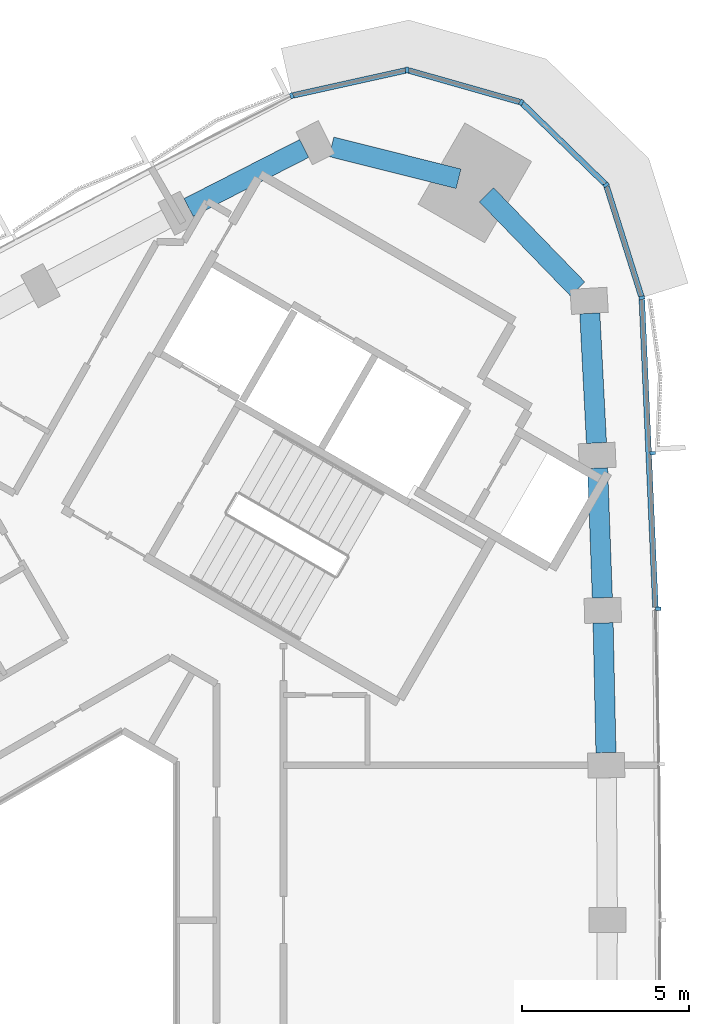
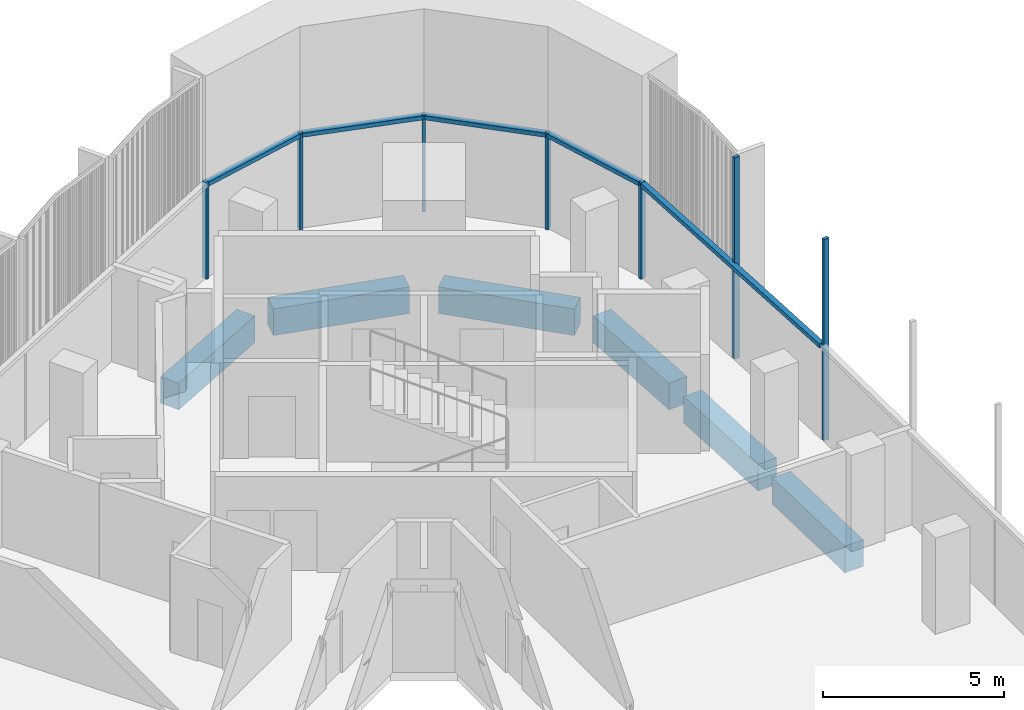
# One storey, part 6 of 14: 12 members, 6 beams, 2 elements without a shape of their own.
"""IFC4 building model written with IfcOpenShell, lengths in metres."""

from ifc_helpers import new_model, si_unit, direction, frame, origin, origin_2d, place, context, subcontext, project, spatial, rectangle, extrude, material, material_profile, profile_set, type_object, element, aggregate, save


model = new_model("IFC4")

# Units and contexts
model_context = context("Model", 3, precision=1e-05, world=origin(), true_north=direction((0.0, 1.0)))
body_context = subcontext(model_context, "Body", "Model", "MODEL_VIEW")
ifc_project = project(units=[si_unit("LENGTHUNIT", "METRE"), si_unit("AREAUNIT", "SQUARE_METRE"), si_unit("VOLUMEUNIT", "CUBIC_METRE"), si_unit("PLANEANGLEUNIT", "RADIAN"), si_unit("MASSUNIT", "GRAM", prefix="KILO")], contexts=[model_context])

# Site, building, storey
site_placement = place(None, origin())
site = spatial("IfcSite", under=ifc_project, at=site_placement, CompositionType="ELEMENT")
building_placement = place(site_placement, origin())
building = spatial("IfcBuilding", under=site, at=building_placement, Name="Tamra Quay Hotel Tower", CompositionType="ELEMENT")
storey_placement = place(building_placement, frame((0.0, 0.0, 250.199951171875)))
storey = spatial("IfcBuildingStorey", under=building, at=storey_placement, Name="L63", CompositionType="ELEMENT", Elevation=250.199951171875)

# Curtain wall, members
ifc_material_1 = material(Name="Aluminium 6063 anodised dark grey", Category="aluminium")
curtain_wall_type_1 = type_object("IfcCurtainWallType", Name="CW1 CURTAIN WALL", PredefinedType="NOTDEFINED", material=ifc_material_1)
curtain_wall_1_placement = place(storey_placement, origin())
curtain_wall_1 = element("IfcCurtainWall", 1, at=curtain_wall_1_placement, inside=storey, type_object=curtain_wall_type_1, Name="CW1 east face L63", PredefinedType="NOTDEFINED")
ifc_material_profile_1 = material_profile(ifc_material_1, rectangle(XDim=0.169921875, YDim=0.10009765625, at=origin_2d()), Name="MULLION 100X170")
ifc_profile_set_1 = profile_set([ifc_material_profile_1], Name="Aluminium 6063 anodised dark grey")
member_type_1 = type_object("IfcMemberType", Name="MULLION CW1 Z5", PredefinedType="MULLION", material=ifc_profile_set_1)
member_1_placement = place(storey_placement, frame((18.191650390625, 9.2978515625, 0.0), z_axis=(0.0, 0.0, 1.0), x_axis=(0.999567592353, 0.029404562872, 0.0)))
member_1 = element("IfcMember", 2, at=member_1_placement, type_object=member_type_1, Name="CW1 mullion L63.E.7", PredefinedType="MULLION", context=body_context, shape_type="SweptSolid", body=[
    extrude(rectangle(XDim=0.169921875, YDim=0.10009765625, at=origin_2d()), origin(), (0.0, 0.0, 1.0), 6.800048828125),
])
member_2_placement = place(storey_placement, frame((18.020751953125, 13.944580078125, 0.0), z_axis=(0.0, 0.0, 1.0), x_axis=(0.999028216264, 0.044075198344, 0.0)))
member_2 = element("IfcMember", 3, at=member_2_placement, type_object=member_type_1, Name="CW1 mullion L63.E.8", PredefinedType="MULLION", context=body_context, shape_type="SweptSolid", body=[
    extrude(rectangle(XDim=0.169921875, YDim=0.10009765625, at=origin_2d()), origin(), (0.0, 0.0, 1.0), 6.800048828125),
])
member_3_placement = place(storey_placement, frame((17.69677734375, 18.5830078125, 0.0), z_axis=(0.0, 0.0, 1.0), x_axis=(0.984105321789, 0.177585797933, 0.0)))
member_3 = element("IfcMember", 4, at=member_3_placement, type_object=member_type_1, Name="CW1 mullion L63.E.9", PredefinedType="MULLION", context=body_context, shape_type="SweptSolid", body=[
    extrude(rectangle(XDim=0.169921875, YDim=0.10009765625, at=origin_2d()), origin(), (0.0, 0.0, 1.0), 3.25),
])
member_4_placement = place(storey_placement, frame((16.633056640625, 21.9541015625, 0.0), z_axis=(0.0, 0.0, 1.0), x_axis=(0.851044298206, 0.525093898736, 0.0)))
member_4 = element("IfcMember", 5, at=member_4_placement, type_object=member_type_1, Name="CW1 mullion L63.E.10", PredefinedType="MULLION", context=body_context, shape_type="SweptSolid", body=[
    extrude(rectangle(XDim=0.169921875, YDim=0.10009765625, at=origin_2d()), origin(), (0.0, 0.0, 1.0), 3.25),
])
member_5_placement = place(storey_placement, frame((14.09716796875, 24.4169921875, 0.0), z_axis=(0.0, 0.0, 1.0), x_axis=(0.5, 0.866025403784, 0.0)))
member_5 = element("IfcMember", 6, at=member_5_placement, type_object=member_type_1, Name="CW1 mullion L63.E.11", PredefinedType="MULLION", context=body_context, shape_type="SweptSolid", body=[
    extrude(rectangle(XDim=0.169921875, YDim=0.10009765625, at=origin_2d()), origin(), (0.0, 0.0, 1.0), 3.25),
])
member_6_placement = place(storey_placement, frame((10.6962890625, 25.3818359375, 0.0), z_axis=(0.0, 0.0, 1.0), x_axis=(0.029222506575, 0.999572931361, 0.0)))
member_6 = element("IfcMember", 7, at=member_6_placement, type_object=member_type_1, Name="CW1 mullion L63.E.12", PredefinedType="MULLION", context=body_context, shape_type="SweptSolid", body=[
    extrude(rectangle(XDim=0.169921875, YDim=0.10009765625, at=origin_2d()), origin(), (0.0, 0.0, 1.0), 3.25),
])

# Curtain wall, member
curtain_wall_type_2 = type_object("IfcCurtainWallType", Name="CW2 CURTAIN WALL", PredefinedType="NOTDEFINED", material=ifc_material_1)
curtain_wall_2_placement = place(storey_placement, origin())
curtain_wall_2 = element("IfcCurtainWall", 8, at=curtain_wall_2_placement, inside=storey, type_object=curtain_wall_type_2, Name="CW2 north-west face L63", PredefinedType="NOTDEFINED")
ifc_material_profile_2 = material_profile(ifc_material_1, rectangle(XDim=0.169921875, YDim=0.10009765625, at=origin_2d()), Name="MULLION 100X170")
ifc_profile_set_2 = profile_set([ifc_material_profile_2], Name="Aluminium 6063 anodised dark grey")
member_type_2 = type_object("IfcMemberType", Name="MULLION CW2 Z5", PredefinedType="MULLION", material=ifc_profile_set_2)
member_7_placement = place(storey_placement, frame((7.244873046875, 24.617431640625, 0.0), z_axis=(0.0, 0.0, 1.0), x_axis=(-0.338258848533, 0.941053107635, 0.0)))
member_7 = element("IfcMember", 9, at=member_7_placement, type_object=member_type_2, Name="CW2 mullion L63.NW.1", PredefinedType="MULLION", context=body_context, shape_type="SweptSolid", body=[
    extrude(rectangle(XDim=0.169921875, YDim=0.10009765625, at=origin_2d()), origin(), (0.0, 0.0, 1.0), 3.25),
])
aggregate(curtain_wall_2, [member_7])

# Beams
ifc_material_2 = material(Name="Concrete M60", Category="concrete")
ifc_material_profile_3 = material_profile(ifc_material_2, rectangle(XDim=0.60009765625, YDim=0.89990234375, at=origin_2d()), Name="SPANDREL BEAM RC 600x900")
ifc_profile_set_3 = profile_set([ifc_material_profile_3], Name="Concrete M60")
beam_type = type_object("IfcBeamType", Name="SPANDREL BEAM RC 600x900", PredefinedType="SPANDREL", material=ifc_profile_set_3)
beam_1_placement = place(storey_placement, frame((16.626953125, 5.0, -0.800048828125), z_axis=(-0.022047440235, 0.999756925647, 0.0), x_axis=(-0.999756925647, -0.022047440235, 0.0)))
element("IfcBeam", 10, at=beam_1_placement, inside=storey, type_object=beam_type, Name="BM-SP5-005-L63", PredefinedType="SPANDREL", context=body_context, shape_type="SweptSolid", body=[
    extrude(rectangle(XDim=0.60009765625, YDim=0.89990234375, at=origin_2d()), origin(), (0.0, 0.0, 1.0), 3.875732421875),
])
beam_2_placement = place(storey_placement, frame((16.51953125, 9.62451171875, -0.800048828125), z_axis=(-0.036732019634, 0.999325151657, 0.0), x_axis=(-0.999325151657, -0.036732019634, 0.0)))
element("IfcBeam", 11, at=beam_2_placement, inside=storey, type_object=beam_type, Name="BM-SP5-006-L63", PredefinedType="SPANDREL", context=body_context, shape_type="SweptSolid", body=[
    extrude(rectangle(XDim=0.60009765625, YDim=0.89990234375, at=origin_2d()), origin(), (0.0, 0.0, 1.0), 3.875),
])
beam_3_placement = place(storey_placement, frame((16.343994140625, 14.24609375, -0.800048828125), z_axis=(-0.051404854824, 0.998677896471, 0.0), x_axis=(-0.998677896471, -0.051404854824, 0.0)))
element("IfcBeam", 12, at=beam_3_placement, inside=storey, type_object=beam_type, Name="BM-SP5-007-L63", PredefinedType="SPANDREL", context=body_context, shape_type="SweptSolid", body=[
    extrude(rectangle(XDim=0.60009765625, YDim=0.89990234375, at=origin_2d()), origin(), (0.0, 0.0, 1.0), 3.87548828125),
])
beam_4_placement = place(storey_placement, frame((15.781005859375, 18.846435546875, -0.800048828125), z_axis=(-0.69594408001, 0.718095980701, 0.0), x_axis=(-0.718095980701, -0.69594408001, 0.0)))
element("IfcBeam", 13, at=beam_4_placement, inside=storey, type_object=beam_type, Name="BM-SP5-008-L63", PredefinedType="SPANDREL", context=body_context, shape_type="SweptSolid", body=[
    extrude(rectangle(XDim=0.60009765625, YDim=0.89990234375, at=origin_2d()), origin(), (0.0, 0.0, 1.0), 3.91259765625),
])
beam_5_placement = place(storey_placement, frame((12.225830078125, 22.136474609375, -0.800048828125), z_axis=(-0.969848171666, 0.243709917558, 0.0), x_axis=(-0.243709917558, -0.969848171666, 0.0)))
element("IfcBeam", 14, at=beam_5_placement, inside=storey, type_object=beam_type, Name="BM-SP5-009-L63", PredefinedType="SPANDREL", context=body_context, shape_type="SweptSolid", body=[
    extrude(rectangle(XDim=0.60009765625, YDim=0.89990234375, at=origin_2d()), origin(), (0.0, 0.0, 1.0), 3.912841796875),
])
beam_6_placement = place(storey_placement, frame((7.616943359375, 23.0400390625, -0.800048828125), z_axis=(-0.890602550436, -0.454782472349, 0.0), x_axis=(0.454782472349, -0.890602550436, 0.0)))
element("IfcBeam", 15, at=beam_6_placement, inside=storey, type_object=beam_type, Name="BM-SP5-010-L63", PredefinedType="SPANDREL", context=body_context, shape_type="SweptSolid", body=[
    extrude(rectangle(XDim=0.60009765625, YDim=0.89990234375, at=origin_2d()), origin(), (0.0, 0.0, 1.0), 3.87548828125),
])

# Member
ifc_material_profile_4 = material_profile(ifc_material_1, rectangle(XDim=0.169921875, YDim=0.139892578125, at=origin_2d()), Name="TRANSOM 170X140")
ifc_profile_set_4 = profile_set([ifc_material_profile_4], Name="Aluminium 6063 anodised dark grey")
member_type_3 = type_object("IfcMemberType", Name="TRANSOM CW1 Z5", PredefinedType="USERDEFINED", material=ifc_profile_set_4)
member_8_placement = place(storey_placement, frame((18.104736328125, 9.34521484375, 3.179931640625), z_axis=(-0.044067372044, 0.999028561514, 0.0), x_axis=(-0.999028561514, -0.044067372044, 0.0)))
member_8 = element("IfcMember", 16, at=member_8_placement, type_object=member_type_3, Name="CW1 transom L63.E.7", ObjectType="TRANSOM", PredefinedType="USERDEFINED", context=body_context, shape_type="SweptSolid", body=[
    extrude(rectangle(XDim=0.169921875, YDim=0.139892578125, at=origin_2d()), origin(), (0.0, 0.0, 1.0), 9.19677734375),
])

member_9_placement = place(storey_placement, frame((17.681884765625, 18.630615234375, 3.179931640625), z_axis=(-0.30092047073, 0.953649238607, 0.0), x_axis=(-0.953649238607, -0.30092047073, 0.0)))
member_9 = element("IfcMember", 17, at=member_9_placement, type_object=member_type_3, Name="CW1 transom L63.E.9", ObjectType="TRANSOM", PredefinedType="USERDEFINED", context=body_context, shape_type="SweptSolid", body=[
    extrude(rectangle(XDim=0.169921875, YDim=0.139892578125, at=origin_2d()), origin(), (0.0, 0.0, 1.0), 3.43505859375),
])

member_10_placement = place(storey_placement, frame((16.59716796875, 21.989013671875, 3.179931640625), z_axis=(-0.717337227603, 0.696726131199, 0.0), x_axis=(-0.696726131199, -0.717337227603, 0.0)))
member_10 = element("IfcMember", 18, at=member_10_placement, type_object=member_type_3, Name="CW1 transom L63.E.10", ObjectType="TRANSOM", PredefinedType="USERDEFINED", context=body_context, shape_type="SweptSolid", body=[
    extrude(rectangle(XDim=0.169921875, YDim=0.139892578125, at=origin_2d()), origin(), (0.0, 0.0, 1.0), 3.43505859375),
])

member_11_placement = place(storey_placement, frame((14.049072265625, 24.4306640625, 3.179931640625), z_axis=(-0.962037198813, 0.272918354273, 0.0), x_axis=(-0.272918354273, -0.962037198813, 0.0)))
member_11 = element("IfcMember", 19, at=member_11_placement, type_object=member_type_3, Name="CW1 transom L63.E.11", ObjectType="TRANSOM", PredefinedType="USERDEFINED", context=body_context, shape_type="SweptSolid", body=[
    extrude(rectangle(XDim=0.169921875, YDim=0.139892578125, at=origin_2d()), origin(), (0.0, 0.0, 1.0), 3.43505859375),
])

member_12_placement = place(storey_placement, frame((10.6474609375, 25.37109375, 3.179931640625), z_axis=(-0.976332331622, -0.21627569958, 0.0), x_axis=(0.21627569958, -0.976332331622, 0.0)))
member_12 = element("IfcMember", 20, at=member_12_placement, type_object=member_type_3, Name="CW1 transom L63.E.12", ObjectType="TRANSOM", PredefinedType="USERDEFINED", context=body_context, shape_type="SweptSolid", body=[
    extrude(rectangle(XDim=0.169921875, YDim=0.139892578125, at=origin_2d()), origin(), (0.0, 0.0, 1.0), 3.43505859375),
])

aggregate(curtain_wall_1, [member_1, member_8, member_2, member_3, member_9, member_4, member_10, member_5, member_11, member_6, member_12])

save(model, "model.ifc")
